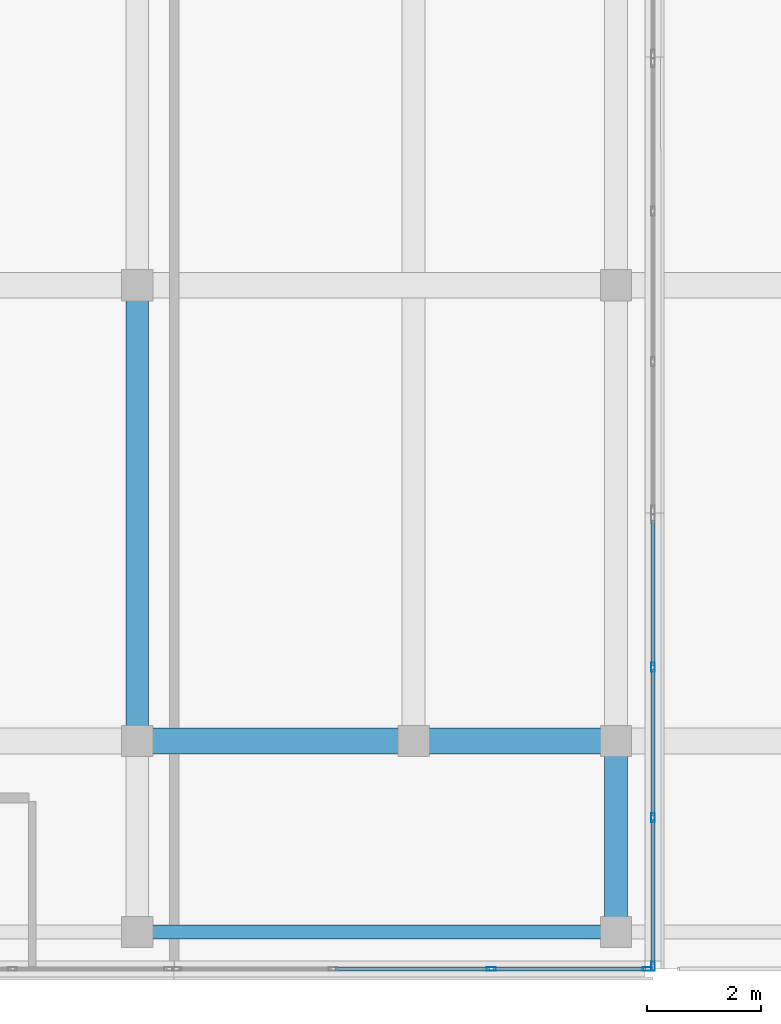
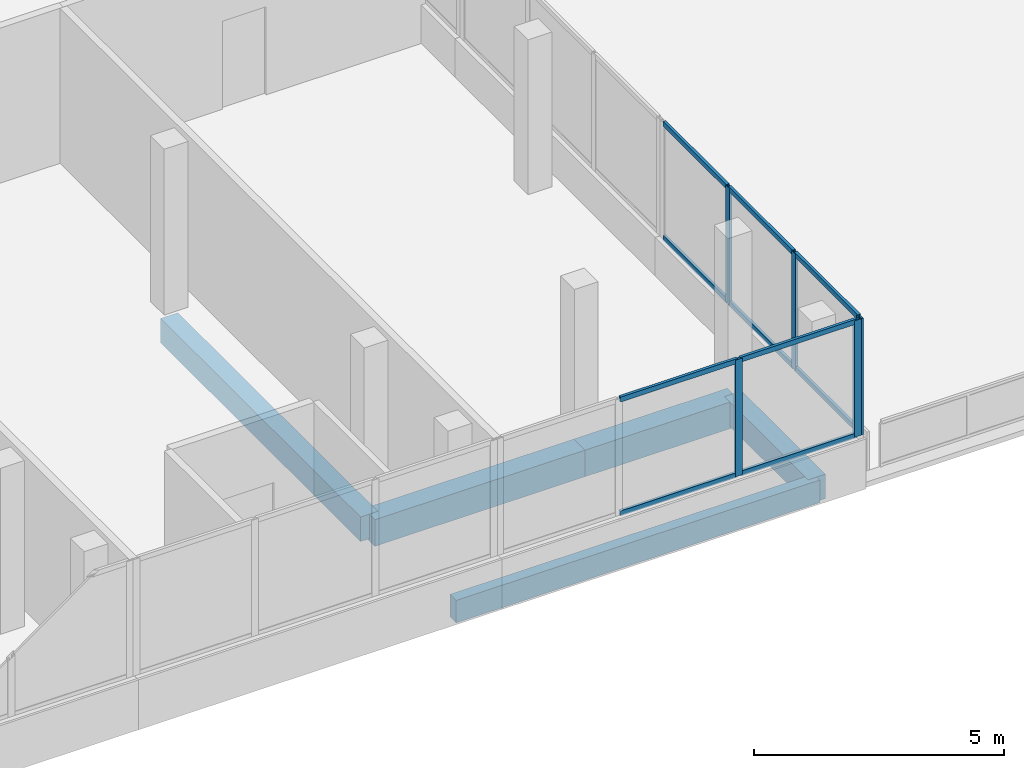
# One storey, part 39 of 66: 15 members, 5 beams, 2 elements without a shape of their own.
"""IFC4 building model written with IfcOpenShell, lengths in metres."""

from ifc_helpers import new_model, si_unit, direction, frame, origin, origin_2d, place, context, subcontext, project, spatial, rectangle, hollow_rectangle, extrude, material, material_profile, profile_set, type_object, element, aggregate, save


model = new_model("IFC4")

# Units and contexts
model_context = context("Model", 3, precision=1e-05, world=origin(), true_north=direction((0.0, 1.0)))
body_context = subcontext(model_context, "Body", "Model", "MODEL_VIEW")
ifc_project = project(units=[si_unit("LENGTHUNIT", "METRE"), si_unit("AREAUNIT", "SQUARE_METRE"), si_unit("VOLUMEUNIT", "CUBIC_METRE"), si_unit("PLANEANGLEUNIT", "RADIAN"), si_unit("MASSUNIT", "GRAM", prefix="KILO")], contexts=[model_context])

# Site, building, storey
site_placement = place(None, origin())
site = spatial("IfcSite", under=ifc_project, at=site_placement, CompositionType="ELEMENT")
building_placement = place(site_placement, origin())
building = spatial("IfcBuilding", under=site, at=building_placement, Name="Selatvlak General Hospital", CompositionType="ELEMENT")
storey_placement = place(building_placement, frame((0.0, 0.0, 31.35009765625)))
storey = spatial("IfcBuildingStorey", under=building, at=storey_placement, Name="L07", CompositionType="ELEMENT", Elevation=31.35009765625)

# Beams
ifc_material_1 = material(Name="Concrete C40/50", Category="concrete")
ifc_material_profile_1 = material_profile(ifc_material_1, rectangle(XDim=0.449951171875, YDim=0.64990234375, at=origin_2d()), Name="RC-BM 450x650")
ifc_profile_set_1 = profile_set([ifc_material_profile_1], Name="Concrete C40/50")
beam_type_1 = type_object("IfcBeamType", Name="BM-G04", PredefinedType="BEAM", material=ifc_profile_set_1)
beam_1_placement = place(storey_placement, frame((156.550048828125, 92.0, -0.59521484375), z_axis=(1.0, 0.0, 0.0), x_axis=(0.0, 1.0, 0.0)))
element("IfcBeam", 1, at=beam_1_placement, inside=storey, type_object=beam_type_1, Name="Beam BMR-L07-2397", PredefinedType="BEAM", context=body_context, shape_type="SweptSolid", body=[
    extrude(rectangle(XDim=0.449951171875, YDim=0.64990234375, at=origin_2d()), origin(), (0.0, 0.0, 1.0), 4.849853515625),
])
beam_2_placement = place(storey_placement, frame((161.39990234375, 92.0, -0.59521484375), z_axis=(1.0, 0.0, 0.0), x_axis=(0.0, 1.0, 0.0)))
element("IfcBeam", 2, at=beam_2_placement, inside=storey, type_object=beam_type_1, Name="Beam BMR-L07-2398", PredefinedType="BEAM", context=body_context, shape_type="SweptSolid", body=[
    extrude(rectangle(XDim=0.449951171875, YDim=0.64990234375, at=origin_2d()), origin(), (0.0, 0.0, 1.0), 3.550048828125),
])
ifc_material_profile_2 = material_profile(ifc_material_1, rectangle(XDim=0.39990234375, YDim=0.60009765625, at=origin_2d()), Name="RC-BM 400x600")
ifc_profile_set_2 = profile_set([ifc_material_profile_2], Name="Concrete C40/50")
beam_type_2 = type_object("IfcBeamType", Name="BM-G05", PredefinedType="BEAM", material=ifc_profile_set_2)
beam_3_placement = place(storey_placement, frame((156.550048828125, 92.0, -0.570068359375), z_axis=(0.0, 1.0, 0.0), x_axis=(-1.0, 0.0, 0.0)))
element("IfcBeam", 3, at=beam_3_placement, inside=storey, type_object=beam_type_2, Name="Beam BMR-L07-2532", PredefinedType="BEAM", context=body_context, shape_type="SweptSolid", body=[
    extrude(rectangle(XDim=0.39990234375, YDim=0.60009765625, at=origin_2d()), origin(), (0.0, 0.0, 1.0), 8.0),
])
beam_4_placement = place(storey_placement, frame((164.949951171875, 88.64990234375, -0.570068359375), z_axis=(0.0, 1.0, 0.0), x_axis=(-1.0, 0.0, 0.0)))
element("IfcBeam", 4, at=beam_4_placement, inside=storey, type_object=beam_type_2, Name="Beam BMR-L07-2536", PredefinedType="BEAM", context=body_context, shape_type="SweptSolid", body=[
    extrude(rectangle(XDim=0.39990234375, YDim=0.60009765625, at=origin_2d()), origin(), (0.0, 0.0, 1.0), 3.35009765625),
])
ifc_material_profile_3 = material_profile(ifc_material_1, rectangle(XDim=0.25, YDim=0.550048828125, at=origin_2d()), Name="RC-SP 250x550")
ifc_profile_set_3 = profile_set([ifc_material_profile_3], Name="Concrete C40/50")
beam_type_3 = type_object("IfcBeamType", Name="BM-SP2", PredefinedType="SPANDREL", material=ifc_profile_set_3)
beam_5_placement = place(storey_placement, frame((156.550048828125, 88.64990234375, -0.545166015625), z_axis=(1.0, 0.0, 0.0), x_axis=(0.0, 1.0, 0.0)))
element("IfcBeam", 5, at=beam_5_placement, inside=storey, type_object=beam_type_3, Name="Beam BMR-L07-2378", PredefinedType="SPANDREL", context=body_context, shape_type="SweptSolid", body=[
    extrude(rectangle(XDim=0.25, YDim=0.550048828125, at=origin_2d()), origin(), (0.0, 0.0, 1.0), 8.39990234375),
])

# Curtain wall, members
ifc_material_2 = material(Name="Solar-control Low-E double glazing", Category="glass")
curtain_wall_type_1 = type_object("IfcCurtainWallType", Name="CW-CW-02", PredefinedType="USERDEFINED", material=ifc_material_2)
curtain_wall_1_placement = place(storey_placement, origin())
curtain_wall_1 = element("IfcCurtainWall", 6, at=curtain_wall_1_placement, inside=storey, type_object=curtain_wall_type_1, Name="Glazed facade curtain wall CW-L07-0662", ObjectType="UNITISED CURTAIN WALL", PredefinedType="USERDEFINED")
ifc_material_3 = material(Name="Dark anodised aluminium mullion", Category="aluminium")
ifc_material_profile_4 = material_profile(ifc_material_3, hollow_rectangle(XDim=0.06494140625, YDim=0.159912109375, WallThickness=0.00390625, at=origin_2d()), Name="AL-MUL 65x160x4")
ifc_profile_set_4 = profile_set([ifc_material_profile_4], Name="Dark anodised aluminium mullion")
member_type_1 = type_object("IfcMemberType", Name="CWM-01", PredefinedType="MULLION", material=ifc_profile_set_4)
member_1_placement = place(storey_placement, frame((165.60009765625, 93.2958984375, 0.93994140625), z_axis=(0.0, 0.0, 1.0), x_axis=(1.0, 0.0, 0.0)))
member_1 = element("IfcMember", 7, at=member_1_placement, type_object=member_type_1, Name="CW-02 mullion 2", PredefinedType="MULLION", context=body_context, shape_type="SweptSolid", body=[
    extrude(hollow_rectangle(XDim=0.06494140625, YDim=0.159912109375, WallThickness=0.00390625, at=origin_2d()), origin(), (0.0, 0.0, 1.0), 2.844970703125),
])
member_2_placement = place(storey_placement, frame((165.60009765625, 90.656005859375, 0.93994140625), z_axis=(0.0, 0.0, 1.0), x_axis=(1.0, 0.0, 0.0)))
member_2 = element("IfcMember", 8, at=member_2_placement, type_object=member_type_1, Name="CW-02 mullion 3", PredefinedType="MULLION", context=body_context, shape_type="SweptSolid", body=[
    extrude(hollow_rectangle(XDim=0.06494140625, YDim=0.159912109375, WallThickness=0.00390625, at=origin_2d()), origin(), (0.0, 0.0, 1.0), 2.844970703125),
])
member_3_placement = place(storey_placement, frame((165.60009765625, 88.048583984375, 0.93994140625), z_axis=(0.0, 0.0, 1.0), x_axis=(1.0, 0.0, 0.0)))
member_3 = element("IfcMember", 9, at=member_3_placement, type_object=member_type_1, Name="CW-02 mullion 4", PredefinedType="MULLION", context=body_context, shape_type="SweptSolid", body=[
    extrude(hollow_rectangle(XDim=0.06494140625, YDim=0.159912109375, WallThickness=0.00390625, at=origin_2d()), origin(), (0.0, 0.0, 1.0), 2.844970703125),
])

curtain_wall_type_2 = type_object("IfcCurtainWallType", Name="CW-CW-01", PredefinedType="USERDEFINED", material=ifc_material_2)
curtain_wall_2_placement = place(storey_placement, origin())
curtain_wall_2 = element("IfcCurtainWall", 10, at=curtain_wall_2_placement, inside=storey, type_object=curtain_wall_type_2, Name="Glazed facade curtain wall CW-L07-0663", ObjectType="UNITISED CURTAIN WALL", PredefinedType="USERDEFINED")
member_4_placement = place(storey_placement, frame((165.50244140625, 88.0009765625, 0.93994140625), z_axis=(0.0, 0.0, 1.0), x_axis=(0.0, -1.0, 0.0)))
member_4 = element("IfcMember", 11, at=member_4_placement, type_object=member_type_1, Name="CW-01 mullion 1", PredefinedType="MULLION", context=body_context, shape_type="SweptSolid", body=[
    extrude(hollow_rectangle(XDim=0.06494140625, YDim=0.159912109375, WallThickness=0.00390625, at=origin_2d()), origin(), (0.0, 0.0, 1.0), 2.844970703125),
])
member_5_placement = place(storey_placement, frame((162.76171875, 88.0009765625, 0.93994140625), z_axis=(0.0, 0.0, 1.0), x_axis=(0.0, -1.0, 0.0)))
member_5 = element("IfcMember", 12, at=member_5_placement, type_object=member_type_1, Name="CW-01 mullion 2", PredefinedType="MULLION", context=body_context, shape_type="SweptSolid", body=[
    extrude(hollow_rectangle(XDim=0.06494140625, YDim=0.159912109375, WallThickness=0.00390625, at=origin_2d()), origin(), (0.0, 0.0, 1.0), 2.844970703125),
])

# Member
ifc_material_profile_5 = material_profile(ifc_material_3, hollow_rectangle(XDim=0.06494140625, YDim=0.1201171875, WallThickness=0.00390625, at=origin_2d()), Name="AL-TRN 65x120x4")
ifc_profile_set_5 = profile_set([ifc_material_profile_5], Name="Dark anodised aluminium mullion")
member_type_2 = type_object("IfcMemberType", Name="CWT-01", PredefinedType="USERDEFINED", material=ifc_profile_set_5)
member_6_placement = place(storey_placement, frame((165.60009765625, 95.87109375, 0.972412109375), z_axis=(0.0, -1.0, 0.0), x_axis=(1.0, 0.0, 0.0)))
member_6 = element("IfcMember", 13, at=member_6_placement, type_object=member_type_2, Name="CW-02 transom 1.1", ObjectType="TRANSOM", PredefinedType="USERDEFINED", context=body_context, shape_type="SweptSolid", body=[
    extrude(hollow_rectangle(XDim=0.06494140625, YDim=0.1201171875, WallThickness=0.00390625, at=origin_2d()), origin(), (0.0, 0.0, 1.0), 2.54248046875),
])

member_7_placement = place(storey_placement, frame((165.60009765625, 95.87109375, 3.75244140625), z_axis=(0.0, -1.0, 0.0), x_axis=(1.0, 0.0, 0.0)))
member_7 = element("IfcMember", 14, at=member_7_placement, type_object=member_type_2, Name="CW-02 transom 1.2", ObjectType="TRANSOM", PredefinedType="USERDEFINED", context=body_context, shape_type="SweptSolid", body=[
    extrude(hollow_rectangle(XDim=0.06494140625, YDim=0.1201171875, WallThickness=0.00390625, at=origin_2d()), origin(), (0.0, 0.0, 1.0), 2.54248046875),
])

member_8_placement = place(storey_placement, frame((165.60009765625, 93.263427734375, 0.972412109375), z_axis=(0.0, -1.0, 0.0), x_axis=(1.0, 0.0, 0.0)))
member_8 = element("IfcMember", 15, at=member_8_placement, type_object=member_type_2, Name="CW-02 transom 2.1", ObjectType="TRANSOM", PredefinedType="USERDEFINED", context=body_context, shape_type="SweptSolid", body=[
    extrude(hollow_rectangle(XDim=0.06494140625, YDim=0.1201171875, WallThickness=0.00390625, at=origin_2d()), origin(), (0.0, 0.0, 1.0), 2.574951171875),
])

member_9_placement = place(storey_placement, frame((165.60009765625, 93.263427734375, 3.75244140625), z_axis=(0.0, -1.0, 0.0), x_axis=(1.0, 0.0, 0.0)))
member_9 = element("IfcMember", 16, at=member_9_placement, type_object=member_type_2, Name="CW-02 transom 2.2", ObjectType="TRANSOM", PredefinedType="USERDEFINED", context=body_context, shape_type="SweptSolid", body=[
    extrude(hollow_rectangle(XDim=0.06494140625, YDim=0.1201171875, WallThickness=0.00390625, at=origin_2d()), origin(), (0.0, 0.0, 1.0), 2.574951171875),
])

member_10_placement = place(storey_placement, frame((165.60009765625, 90.62353515625, 0.972412109375), z_axis=(0.0, -1.0, 0.0), x_axis=(1.0, 0.0, 0.0)))
member_10 = element("IfcMember", 17, at=member_10_placement, type_object=member_type_2, Name="CW-02 transom 3.1", ObjectType="TRANSOM", PredefinedType="USERDEFINED", context=body_context, shape_type="SweptSolid", body=[
    extrude(hollow_rectangle(XDim=0.06494140625, YDim=0.1201171875, WallThickness=0.00390625, at=origin_2d()), origin(), (0.0, 0.0, 1.0), 2.54248046875),
])

member_11_placement = place(storey_placement, frame((165.60009765625, 90.62353515625, 3.75244140625), z_axis=(0.0, -1.0, 0.0), x_axis=(1.0, 0.0, 0.0)))
member_11 = element("IfcMember", 18, at=member_11_placement, type_object=member_type_2, Name="CW-02 transom 3.2", ObjectType="TRANSOM", PredefinedType="USERDEFINED", context=body_context, shape_type="SweptSolid", body=[
    extrude(hollow_rectangle(XDim=0.06494140625, YDim=0.1201171875, WallThickness=0.00390625, at=origin_2d()), origin(), (0.0, 0.0, 1.0), 2.54248046875),
])

aggregate(curtain_wall_1, [member_1, member_2, member_3, member_6, member_7, member_8, member_9, member_10, member_11])

member_12_placement = place(storey_placement, frame((165.469970703125, 88.0009765625, 0.972412109375), z_axis=(-1.0, 0.0, 0.0), x_axis=(0.0, -1.0, 0.0)))
member_12 = element("IfcMember", 19, at=member_12_placement, type_object=member_type_2, Name="CW-01 transom 1.1", ObjectType="TRANSOM", PredefinedType="USERDEFINED", context=body_context, shape_type="SweptSolid", body=[
    extrude(hollow_rectangle(XDim=0.06494140625, YDim=0.1201171875, WallThickness=0.00390625, at=origin_2d()), origin(), (0.0, 0.0, 1.0), 2.67578125),
])

member_13_placement = place(storey_placement, frame((165.469970703125, 88.0009765625, 3.75244140625), z_axis=(-1.0, 0.0, 0.0), x_axis=(0.0, -1.0, 0.0)))
member_13 = element("IfcMember", 20, at=member_13_placement, type_object=member_type_2, Name="CW-01 transom 1.2", ObjectType="TRANSOM", PredefinedType="USERDEFINED", context=body_context, shape_type="SweptSolid", body=[
    extrude(hollow_rectangle(XDim=0.06494140625, YDim=0.1201171875, WallThickness=0.00390625, at=origin_2d()), origin(), (0.0, 0.0, 1.0), 2.67578125),
])

member_14_placement = place(storey_placement, frame((162.729248046875, 88.0009765625, 0.972412109375), z_axis=(-1.0, 0.0, 0.0), x_axis=(0.0, -1.0, 0.0)))
member_14 = element("IfcMember", 21, at=member_14_placement, type_object=member_type_2, Name="CW-01 transom 2.1", ObjectType="TRANSOM", PredefinedType="USERDEFINED", context=body_context, shape_type="SweptSolid", body=[
    extrude(hollow_rectangle(XDim=0.06494140625, YDim=0.1201171875, WallThickness=0.00390625, at=origin_2d()), origin(), (0.0, 0.0, 1.0), 2.70849609375),
])

member_15_placement = place(storey_placement, frame((162.729248046875, 88.0009765625, 3.75244140625), z_axis=(-1.0, 0.0, 0.0), x_axis=(0.0, -1.0, 0.0)))
member_15 = element("IfcMember", 22, at=member_15_placement, type_object=member_type_2, Name="CW-01 transom 2.2", ObjectType="TRANSOM", PredefinedType="USERDEFINED", context=body_context, shape_type="SweptSolid", body=[
    extrude(hollow_rectangle(XDim=0.06494140625, YDim=0.1201171875, WallThickness=0.00390625, at=origin_2d()), origin(), (0.0, 0.0, 1.0), 2.70849609375),
])

aggregate(curtain_wall_2, [member_4, member_5, member_12, member_13, member_14, member_15])

save(model, "model.ifc")
